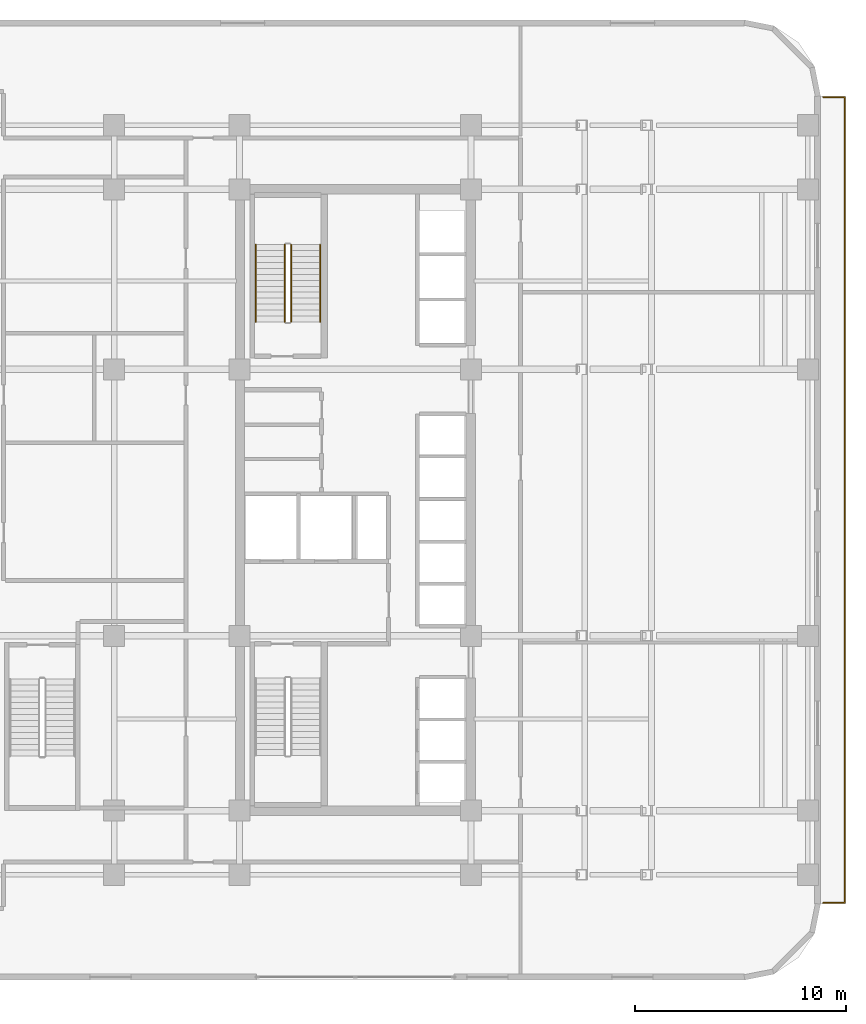
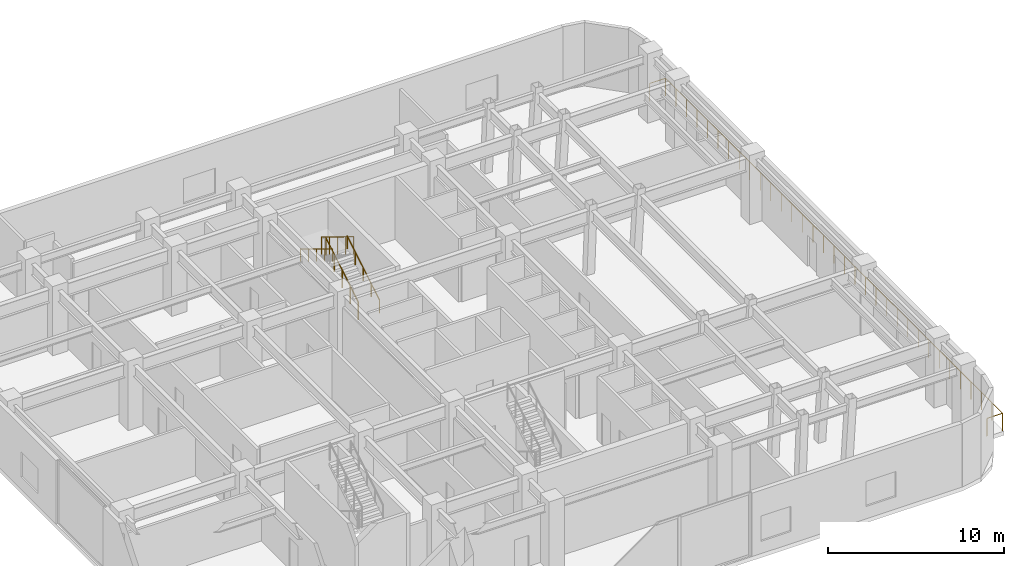
# One storey, part 9 of 10: 5 railings.
"""IFC4 building model written with IfcOpenShell, lengths in metres."""

from ifc_helpers import new_model, si_unit, direction, frame, origin, origin_2d, place, context, subcontext, project, spatial, circle, extrude, material, type_object, element, save


model = new_model("IFC4")

# Units and contexts
model_context = context("Model", 3, precision=1e-05, world=origin(), true_north=direction((0.0, 1.0)))
body_context = subcontext(model_context, "Body", "Model", "MODEL_VIEW")
ifc_project = project(units=[si_unit("LENGTHUNIT", "METRE"), si_unit("AREAUNIT", "SQUARE_METRE"), si_unit("VOLUMEUNIT", "CUBIC_METRE"), si_unit("PLANEANGLEUNIT", "RADIAN"), si_unit("MASSUNIT", "GRAM", prefix="KILO")], contexts=[model_context])

# Site, building, storey
site_placement = place(None, origin())
site = spatial("IfcSite", under=ifc_project, at=site_placement, CompositionType="ELEMENT")
building_placement = place(site_placement, origin())
building = spatial("IfcBuilding", under=site, at=building_placement, Name="Ochreholt Gables", CompositionType="ELEMENT")
storey_placement = place(building_placement, frame((0.0, 0.0, 14.39990234375)))
storey = spatial("IfcBuildingStorey", under=building, at=storey_placement, Name="L03", CompositionType="ELEMENT", Elevation=14.39990234375)

# Railings
ifc_material_1 = material(Name="Painted Steel Stair Guardrail", Category="steel")
railing_type_1 = type_object("IfcRailingType", Name="RL-ST-GUARD", PredefinedType="GUARDRAIL", material=ifc_material_1)
railing_1_placement = place(storey_placement, frame((26.64990234375, 32.4599609375, 0.171630859375)))
element("IfcRailing", 1, at=railing_1_placement, inside=storey, type_object=railing_type_1, Name="L03 ST-2 stair guard 1", PredefinedType="GUARDRAIL", context=body_context, shape_type="SweptSolid", body=[
    extrude(circle(Radius=0.02392578125, at=origin_2d()), frame((0.0, 0.0, 1.22607421875), z_axis=(0.0, 0.85450609292, 0.519441370283), x_axis=(-1.0, 0.0, 0.0)), (0.0, 0.0, 1.0), 4.290283203125),
    extrude(circle(Radius=0.02099609375, at=origin_2d()), origin(), (0.0, 0.0, 1.0), 1.201904296875),
    extrude(circle(Radius=0.02099609375, at=origin_2d()), frame((0.0, 0.91650390625, 0.55712890625)), (0.0, 0.0, 1.0), 1.201904296875),
    extrude(circle(Radius=0.02099609375, at=origin_2d()), frame((0.0, 1.8330078125, 1.1142578125)), (0.0, 0.0, 1.0), 1.201904296875),
    extrude(circle(Radius=0.02099609375, at=origin_2d()), frame((0.0, 2.74951171875, 1.67138671875)), (0.0, 0.0, 1.0), 1.201904296875),
    extrude(circle(Radius=0.02099609375, at=origin_2d()), frame((0.0, 3.666015625, 2.228515625)), (0.0, 0.0, 1.0), 1.201904296875),
])
railing_2_placement = place(storey_placement, frame((26.35009765625, 36.1259765625, 2.571533203125)))
element("IfcRailing", 2, at=railing_2_placement, inside=storey, type_object=railing_type_1, Name="L03 ST-2 stair guard 3", PredefinedType="GUARDRAIL", context=body_context, shape_type="SweptSolid", body=[
    extrude(circle(Radius=0.02392578125, at=origin_2d()), frame((0.0, 0.0, 1.22607421875), z_axis=(0.0, -0.85450609292, 0.519441370283), x_axis=(1.0, 0.0, 0.0)), (0.0, 0.0, 1.0), 4.290283203125),
    extrude(circle(Radius=0.02099609375, at=origin_2d()), origin(), (0.0, 0.0, 1.0), 1.201904296875),
    extrude(circle(Radius=0.02099609375, at=origin_2d()), frame((0.0, -0.91650390625, 0.55712890625)), (0.0, 0.0, 1.0), 1.201904296875),
    extrude(circle(Radius=0.02099609375, at=origin_2d()), frame((0.0, -1.8330078125, 1.1142578125)), (0.0, 0.0, 1.0), 1.201904296875),
    extrude(circle(Radius=0.02099609375, at=origin_2d()), frame((0.0, -2.74951171875, 1.67138671875)), (0.0, 0.0, 1.0), 1.201904296875),
    extrude(circle(Radius=0.02099609375, at=origin_2d()), frame((0.0, -3.666015625, 2.228515625)), (0.0, 0.0, 1.0), 1.201904296875),
])
ifc_material_2 = material(Name="Brushed Stainless Steel Wall Handrail", Category="steel")
railing_type_2 = type_object("IfcRailingType", Name="RL-ST-HAND", PredefinedType="HANDRAIL", material=ifc_material_2)
railing_3_placement = place(storey_placement, frame((28.030029296875, 32.4599609375, 0.171630859375)))
element("IfcRailing", 3, at=railing_3_placement, inside=storey, type_object=railing_type_2, Name="L03 ST-2 stair handrail 1", PredefinedType="HANDRAIL", context=body_context, shape_type="SweptSolid", body=[
    extrude(circle(Radius=0.02392578125, at=origin_2d()), frame((0.0, 0.0, 0.8759765625), z_axis=(0.0, 0.85450609292, 0.519441370283), x_axis=(-1.0, 0.0, 0.0)), (0.0, 0.0, 1.0), 4.290283203125),
    extrude(circle(Radius=0.02099609375, at=origin_2d()), origin(), (0.0, 0.0, 1.0), 0.851806640625),
    extrude(circle(Radius=0.02099609375, at=origin_2d()), frame((0.0, 0.91650390625, 0.55712890625)), (0.0, 0.0, 1.0), 0.851806640625),
    extrude(circle(Radius=0.02099609375, at=origin_2d()), frame((0.0, 1.8330078125, 1.1142578125)), (0.0, 0.0, 1.0), 0.851806640625),
    extrude(circle(Radius=0.02099609375, at=origin_2d()), frame((0.0, 2.74951171875, 1.67138671875)), (0.0, 0.0, 1.0), 0.851806640625),
    extrude(circle(Radius=0.02099609375, at=origin_2d()), frame((0.0, 3.666015625, 2.228515625)), (0.0, 0.0, 1.0), 0.851806640625),
])
railing_4_placement = place(storey_placement, frame((24.969970703125, 36.1259765625, 2.571533203125)))
element("IfcRailing", 4, at=railing_4_placement, inside=storey, type_object=railing_type_2, Name="L03 ST-2 stair handrail 2", PredefinedType="HANDRAIL", context=body_context, shape_type="SweptSolid", body=[
    extrude(circle(Radius=0.02392578125, at=origin_2d()), frame((0.0, 0.0, 0.8759765625), z_axis=(0.0, -0.85450609292, 0.519441370283), x_axis=(1.0, 0.0, 0.0)), (0.0, 0.0, 1.0), 4.290283203125),
    extrude(circle(Radius=0.02099609375, at=origin_2d()), origin(), (0.0, 0.0, 1.0), 0.851806640625),
    extrude(circle(Radius=0.02099609375, at=origin_2d()), frame((0.0, -0.91650390625, 0.55712890625)), (0.0, 0.0, 1.0), 0.851806640625),
    extrude(circle(Radius=0.02099609375, at=origin_2d()), frame((0.0, -1.8330078125, 1.1142578125)), (0.0, 0.0, 1.0), 0.851806640625),
    extrude(circle(Radius=0.02099609375, at=origin_2d()), frame((0.0, -2.74951171875, 1.67138671875)), (0.0, 0.0, 1.0), 0.851806640625),
    extrude(circle(Radius=0.02099609375, at=origin_2d()), frame((0.0, -3.666015625, 2.228515625)), (0.0, 0.0, 1.0), 0.851806640625),
])
ifc_material_3 = material(Name="Laminated Glass and Anodized Aluminium Guardrail", Category="aluminium")
railing_type_3 = type_object("IfcRailingType", Name="RL-TER-1250", PredefinedType="GUARDRAIL", material=ifc_material_3)
railing_5_placement = place(storey_placement, frame((51.920166015625, 4.860107421875, 0.0)))
element("IfcRailing", 5, at=railing_5_placement, inside=storey, type_object=railing_type_3, Name="L03 Terrace Perimeter Guardrail TR-L03-E", PredefinedType="GUARDRAIL", context=body_context, shape_type="SweptSolid", body=[
    extrude(circle(Radius=0.02392578125, at=origin_2d()), frame((0.0, 0.0, 1.22607421875), z_axis=(1.0, 0.0, 0.0), x_axis=(0.0, 1.0, 0.0)), (0.0, 0.0, 1.0), 1.019775390625),
    extrude(circle(Radius=0.02392578125, at=origin_2d()), frame((1.019775390625, 0.0, 1.22607421875), z_axis=(0.0, 1.0, 0.0), x_axis=(-1.0, 0.0, 0.0)), (0.0, 0.0, 1.0), 38.27978515625),
    extrude(circle(Radius=0.02392578125, at=origin_2d()), frame((1.019775390625, 38.27978515625, 1.22607421875), z_axis=(-1.0, 0.0, 0.0), x_axis=(0.0, -1.0, 0.0)), (0.0, 0.0, 1.0), 1.019775390625),
    extrude(circle(Radius=0.02099609375, at=origin_2d()), origin(), (0.0, 0.0, 1.0), 1.201904296875),
    extrude(circle(Radius=0.02099609375, at=origin_2d()), frame((1.019775390625, 0.0, 0.0)), (0.0, 0.0, 1.0), 1.201904296875),
    extrude(circle(Radius=0.02099609375, at=origin_2d()), frame((1.019775390625, 1.1962890625, 0.0)), (0.0, 0.0, 1.0), 1.201904296875),
    extrude(circle(Radius=0.02099609375, at=origin_2d()), frame((1.019775390625, 2.392578125, 0.0)), (0.0, 0.0, 1.0), 1.201904296875),
    extrude(circle(Radius=0.02099609375, at=origin_2d()), frame((1.019775390625, 3.588623046875, 0.0)), (0.0, 0.0, 1.0), 1.201904296875),
    extrude(circle(Radius=0.02099609375, at=origin_2d()), frame((1.019775390625, 4.784912109375, 0.0)), (0.0, 0.0, 1.0), 1.201904296875),
    extrude(circle(Radius=0.02099609375, at=origin_2d()), frame((1.019775390625, 5.981201171875, 0.0)), (0.0, 0.0, 1.0), 1.201904296875),
    extrude(circle(Radius=0.02099609375, at=origin_2d()), frame((1.019775390625, 7.177490234375, 0.0)), (0.0, 0.0, 1.0), 1.201904296875),
    extrude(circle(Radius=0.02099609375, at=origin_2d()), frame((1.019775390625, 8.373779296875, 0.0)), (0.0, 0.0, 1.0), 1.201904296875),
    extrude(circle(Radius=0.02099609375, at=origin_2d()), frame((1.019775390625, 9.56982421875, 0.0)), (0.0, 0.0, 1.0), 1.201904296875),
    extrude(circle(Radius=0.02099609375, at=origin_2d()), frame((1.019775390625, 10.76611328125, 0.0)), (0.0, 0.0, 1.0), 1.201904296875),
    extrude(circle(Radius=0.02099609375, at=origin_2d()), frame((1.019775390625, 11.96240234375, 0.0)), (0.0, 0.0, 1.0), 1.201904296875),
    extrude(circle(Radius=0.02099609375, at=origin_2d()), frame((1.019775390625, 13.15869140625, 0.0)), (0.0, 0.0, 1.0), 1.201904296875),
    extrude(circle(Radius=0.02099609375, at=origin_2d()), frame((1.019775390625, 14.35498046875, 0.0)), (0.0, 0.0, 1.0), 1.201904296875),
    extrude(circle(Radius=0.02099609375, at=origin_2d()), frame((1.019775390625, 15.55126953125, 0.0)), (0.0, 0.0, 1.0), 1.201904296875),
    extrude(circle(Radius=0.02099609375, at=origin_2d()), frame((1.019775390625, 16.747314453125, 0.0)), (0.0, 0.0, 1.0), 1.201904296875),
    extrude(circle(Radius=0.02099609375, at=origin_2d()), frame((1.019775390625, 17.943603515625, 0.0)), (0.0, 0.0, 1.0), 1.201904296875),
    extrude(circle(Radius=0.02099609375, at=origin_2d()), frame((1.019775390625, 19.139892578125, 0.0)), (0.0, 0.0, 1.0), 1.201904296875),
    extrude(circle(Radius=0.02099609375, at=origin_2d()), frame((1.019775390625, 20.336181640625, 0.0)), (0.0, 0.0, 1.0), 1.201904296875),
    extrude(circle(Radius=0.02099609375, at=origin_2d()), frame((1.019775390625, 21.532470703125, 0.0)), (0.0, 0.0, 1.0), 1.201904296875),
    extrude(circle(Radius=0.02099609375, at=origin_2d()), frame((1.019775390625, 22.728515625, 0.0)), (0.0, 0.0, 1.0), 1.201904296875),
    extrude(circle(Radius=0.02099609375, at=origin_2d()), frame((1.019775390625, 23.9248046875, 0.0)), (0.0, 0.0, 1.0), 1.201904296875),
    extrude(circle(Radius=0.02099609375, at=origin_2d()), frame((1.019775390625, 25.12109375, 0.0)), (0.0, 0.0, 1.0), 1.201904296875),
    extrude(circle(Radius=0.02099609375, at=origin_2d()), frame((1.019775390625, 26.3173828125, 0.0)), (0.0, 0.0, 1.0), 1.201904296875),
    extrude(circle(Radius=0.02099609375, at=origin_2d()), frame((1.019775390625, 27.513671875, 0.0)), (0.0, 0.0, 1.0), 1.201904296875),
    extrude(circle(Radius=0.02099609375, at=origin_2d()), frame((1.019775390625, 28.7099609375, 0.0)), (0.0, 0.0, 1.0), 1.201904296875),
    extrude(circle(Radius=0.02099609375, at=origin_2d()), frame((1.019775390625, 29.906005859375, 0.0)), (0.0, 0.0, 1.0), 1.201904296875),
    extrude(circle(Radius=0.02099609375, at=origin_2d()), frame((1.019775390625, 31.102294921875, 0.0)), (0.0, 0.0, 1.0), 1.201904296875),
    extrude(circle(Radius=0.02099609375, at=origin_2d()), frame((1.019775390625, 32.298583984375, 0.0)), (0.0, 0.0, 1.0), 1.201904296875),
    extrude(circle(Radius=0.02099609375, at=origin_2d()), frame((1.019775390625, 33.494873046875, 0.0)), (0.0, 0.0, 1.0), 1.201904296875),
    extrude(circle(Radius=0.02099609375, at=origin_2d()), frame((1.019775390625, 34.691162109375, 0.0)), (0.0, 0.0, 1.0), 1.201904296875),
    extrude(circle(Radius=0.02099609375, at=origin_2d()), frame((1.019775390625, 35.88720703125, 0.0)), (0.0, 0.0, 1.0), 1.201904296875),
    extrude(circle(Radius=0.02099609375, at=origin_2d()), frame((1.019775390625, 37.08349609375, 0.0)), (0.0, 0.0, 1.0), 1.201904296875),
    extrude(circle(Radius=0.02099609375, at=origin_2d()), frame((1.019775390625, 38.27978515625, 0.0)), (0.0, 0.0, 1.0), 1.201904296875),
    extrude(circle(Radius=0.02099609375, at=origin_2d()), frame((0.0, 38.27978515625, 0.0)), (0.0, 0.0, 1.0), 1.201904296875),
])

save(model, "model.ifc")
